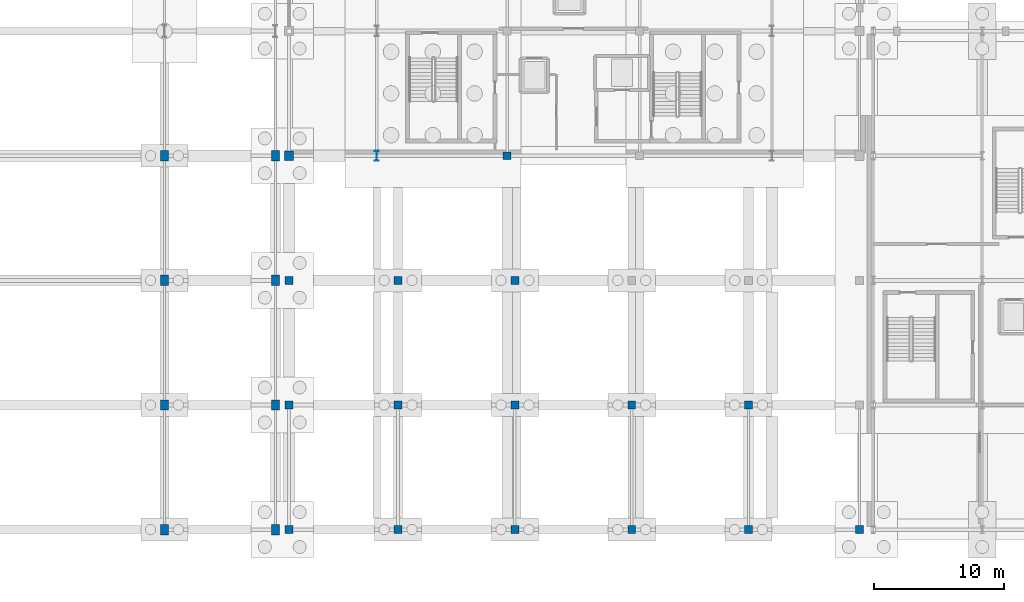
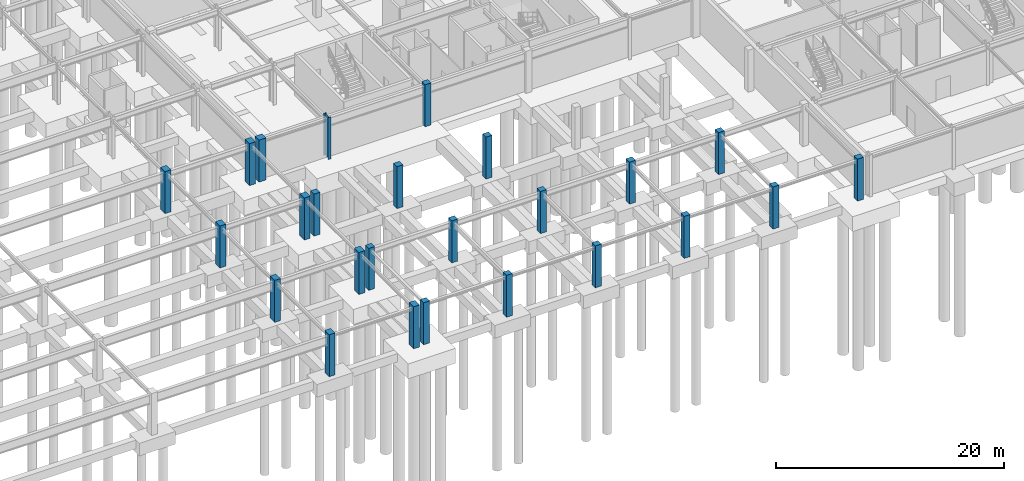
# One storey, part 12 of 59: 25 columns.
"""IFC4 building model written with IfcOpenShell, lengths in metres."""

from ifc_helpers import new_model, si_unit, direction, frame, origin, origin_2d, place, context, subcontext, project, spatial, rectangle, i_section, extrude, material, material_profile, profile_set, type_object, element, save


model = new_model("IFC4")

# Units and contexts
model_context = context("Model", 3, precision=1e-05, world=origin(), true_north=direction((0.0, 1.0)))
body_context = subcontext(model_context, "Body", "Model", "MODEL_VIEW")
ifc_project = project(units=[si_unit("LENGTHUNIT", "METRE"), si_unit("AREAUNIT", "SQUARE_METRE"), si_unit("VOLUMEUNIT", "CUBIC_METRE"), si_unit("PLANEANGLEUNIT", "RADIAN"), si_unit("MASSUNIT", "GRAM", prefix="KILO")], contexts=[model_context])

# Site, building, storey
site_placement = place(None, origin())
site = spatial("IfcSite", under=ifc_project, at=site_placement, CompositionType="ELEMENT")
building_placement = place(site_placement, origin())
building = spatial("IfcBuilding", under=site, at=building_placement, Name="Myrtia Square Station", CompositionType="ELEMENT")
storey_placement = place(building_placement, frame((0.0, 0.0, -4.5)))
storey = spatial("IfcBuildingStorey", under=building, at=storey_placement, Name="B01", CompositionType="ELEMENT", Elevation=-4.5)

# Columns
ifc_material_1 = material(Name="Steel S355", Category="steel")
ifc_material_profile_1 = material_profile(ifc_material_1, i_section(OverallWidth=0.300048828125, OverallDepth=0.800048828125, WebThickness=0.017578125, FlangeThickness=0.032958984375, FilletRadius=0.030029296875, at=origin_2d()), Name="HEB 800")
ifc_profile_set_1 = profile_set([ifc_material_profile_1], Name="Steel S355")
column_type_1 = type_object("IfcColumnType", Name="COL-HEB800", PredefinedType="COLUMN", material=ifc_profile_set_1)
column_1_placement = place(storey_placement, frame((79.35009765625, 28.800048828125, 0.0), z_axis=(0.0, 0.0, 1.0), x_axis=(1.0, 0.0, 0.0)))
element("IfcColumn", 1, at=column_1_placement, inside=storey, type_object=column_type_1, Name="Column B01-0251", PredefinedType="COLUMN", context=body_context, shape_type="SweptSolid", body=[
    extrude(i_section(OverallWidth=0.300048828125, OverallDepth=0.800048828125, WebThickness=0.017578125, FlangeThickness=0.032958984375, FilletRadius=0.030029296875, at=origin_2d()), origin(), (0.0, 0.0, 1.0), 4.5),
])
ifc_material_2 = material(Name="Concrete C40/50", Category="concrete")
ifc_material_profile_2 = material_profile(ifc_material_2, rectangle(XDim=0.60009765625, YDim=0.60009765625, at=origin_2d()), Name="RC 600x600")
ifc_profile_set_2 = profile_set([ifc_material_profile_2], Name="Concrete C40/50")
column_type_2 = type_object("IfcColumnType", Name="COL-RC600", PredefinedType="COLUMN", material=ifc_profile_set_2)
for number, where, z_axis, x_axis, name in (
    (2, (89.39990234375, 28.800048828125, 0.0), (0.0, 0.0, 1.0), (1.0, 0.0, 0.0), "Column B01-0417"),
    (3, (72.60009765625, 0.0, 0.0), (0.0, 0.0, 1.0), (1.0, 0.0, 0.0), "Column B01-0505"),
    (4, (72.60009765625, 9.60009765625, 0.0), (0.0, 0.0, 1.0), (1.0, 0.0, 0.0), "Column B01-0508"),
    (5, (72.60009765625, 19.199951171875, 0.0), (0.0, 0.0, 1.0), (1.0, 0.0, 0.0), "Column B01-0511"),
    (6, (81.0, 0.0, 0.0), (0.0, 0.0, 1.0), (1.0, 0.0, 0.0), "Column B01-0514"),
    (7, (81.0, 9.60009765625, 0.0), (0.0, 0.0, 1.0), (1.0, 0.0, 0.0), "Column B01-0517"),
    (8, (81.0, 19.199951171875, 0.0), (0.0, 0.0, 1.0), (1.0, 0.0, 0.0), "Column B01-0520"),
    (9, (90.0, 0.0, 0.0), (0.0, 0.0, 1.0), (1.0, 0.0, 0.0), "Column B01-0523"),
    (10, (90.0, 9.60009765625, 0.0), (0.0, 0.0, 1.0), (1.0, 0.0, 0.0), "Column B01-0526"),
    (11, (90.0, 19.199951171875, 0.0), (0.0, 0.0, 1.0), (1.0, 0.0, 0.0), "Column B01-0529"),
    (12, (99.0, 0.0, 0.0), (0.0, 0.0, 1.0), (1.0, 0.0, 0.0), "Column B01-0532"),
    (13, (99.0, 9.60009765625, 0.0), (0.0, 0.0, 1.0), (1.0, 0.0, 0.0), "Column B01-0535"),
    (14, (108.0, 0.0, 0.0), (0.0, 0.0, 1.0), (1.0, 0.0, 0.0), "Column B01-0541"),
    (15, (108.0, 9.60009765625, 0.0), (0.0, 0.0, 1.0), (1.0, 0.0, 0.0), "Column B01-0544"),
    (16, (116.550048828125, 0.0, 0.0), (0.0, 0.0, 1.0), (1.0, 0.0, 0.0), "Column B01-0550"),
):
    element("IfcColumn", number, at=place(storey_placement, frame(where, z_axis=z_axis, x_axis=x_axis)), inside=storey, type_object=column_type_2, Name=name, PredefinedType="COLUMN", context=body_context, shape_type="SweptSolid", body=[
        extrude(rectangle(XDim=0.60009765625, YDim=0.60009765625, at=origin_2d()), origin(), (0.0, 0.0, 1.0), 4.5),
    ])
ifc_material_profile_3 = material_profile(ifc_material_2, rectangle(XDim=0.60009765625, YDim=0.800048828125, at=origin_2d()), Name="RC 600x800")
ifc_profile_set_3 = profile_set([ifc_material_profile_3], Name="Concrete C40/50")
column_type_3 = type_object("IfcColumnType", Name="COL-RC600x800", PredefinedType="COLUMN", material=ifc_profile_set_3)
for number, where, z_axis, x_axis, name in (
    (17, (63.0, 0.0, 0.0), (0.0, 0.0, 1.0), (1.0, 0.0, 0.0), "Column B01-0157"),
    (18, (63.0, 9.60009765625, 0.0), (0.0, 0.0, 1.0), (1.0, 0.0, 0.0), "Column B01-0160"),
    (19, (63.0, 19.199951171875, 0.0), (0.0, 0.0, 1.0), (1.0, 0.0, 0.0), "Column B01-0163"),
    (20, (63.0, 28.800048828125, 0.0), (0.0, 0.0, 1.0), (1.0, 0.0, 0.0), "Column B01-0166"),
    (21, (71.550048828125, 0.0, 0.0), (0.0, 0.0, 1.0), (1.0, 0.0, 0.0), "Column B01-0199"),
    (22, (71.550048828125, 9.60009765625, 0.0), (0.0, 0.0, 1.0), (1.0, 0.0, 0.0), "Column B01-0202"),
    (23, (71.550048828125, 19.199951171875, 0.0), (0.0, 0.0, 1.0), (1.0, 0.0, 0.0), "Column B01-0205"),
    (24, (71.550048828125, 28.800048828125, 0.0), (0.0, 0.0, 1.0), (1.0, 0.0, 0.0), "Column B01-0208"),
):
    element("IfcColumn", number, at=place(storey_placement, frame(where, z_axis=z_axis, x_axis=x_axis)), inside=storey, type_object=column_type_3, Name=name, PredefinedType="COLUMN", context=body_context, shape_type="SweptSolid", body=[
        extrude(rectangle(XDim=0.60009765625, YDim=0.800048828125, at=origin_2d()), origin(), (0.0, 0.0, 1.0), 4.5),
    ])
ifc_material_profile_4 = material_profile(ifc_material_2, rectangle(XDim=0.699951171875, YDim=0.699951171875, at=origin_2d()), Name="RC 700x700")
ifc_profile_set_4 = profile_set([ifc_material_profile_4], Name="Concrete C40/50")
column_type_4 = type_object("IfcColumnType", Name="COL-RC700", PredefinedType="COLUMN", material=ifc_profile_set_4)
column_2_placement = place(storey_placement, frame((72.60009765625, 28.800048828125, 0.0), z_axis=(0.0, 0.0, 1.0), x_axis=(1.0, 0.0, 0.0)))
element("IfcColumn", 25, at=column_2_placement, inside=storey, type_object=column_type_4, Name="Column B01-0241", PredefinedType="COLUMN", context=body_context, shape_type="SweptSolid", body=[
    extrude(rectangle(XDim=0.699951171875, YDim=0.699951171875, at=origin_2d()), origin(), (0.0, 0.0, 1.0), 4.5),
])

save(model, "model.ifc")
